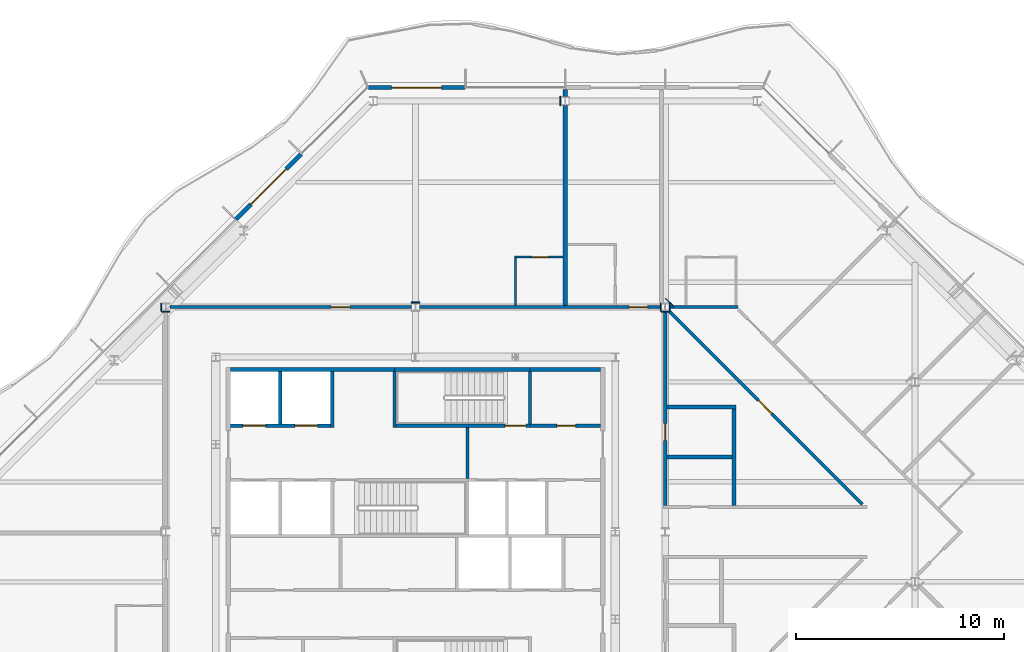
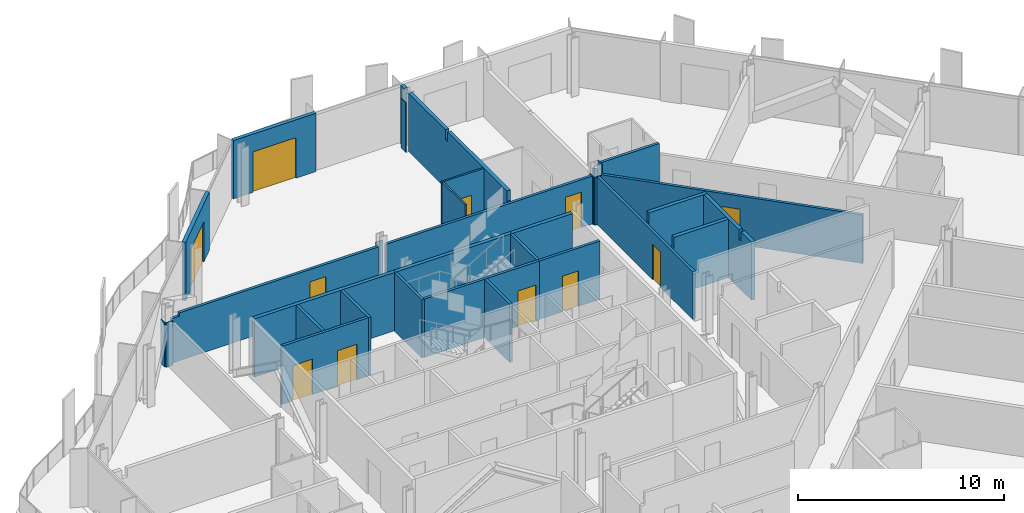
# One storey, part 11 of 17: 33 walls, 11 doors, 11 openings.
"""IFC4 building model written with IfcOpenShell, lengths in metres."""

from ifc_helpers import new_model, si_unit, direction, frame, frame_2d, origin, place, context, subcontext, project, spatial, polyline, rectangle, outline, extrude, material, layer, layer_set, type_object, element, fill, save


model = new_model("IFC4")

# Units and contexts
model_context = context("Model", 3, precision=1e-05, world=origin(), true_north=direction((0.0, 1.0)))
body_context = subcontext(model_context, "Body", "Model", "MODEL_VIEW")
ifc_project = project(units=[si_unit("LENGTHUNIT", "METRE"), si_unit("AREAUNIT", "SQUARE_METRE"), si_unit("VOLUMEUNIT", "CUBIC_METRE"), si_unit("PLANEANGLEUNIT", "RADIAN"), si_unit("MASSUNIT", "GRAM", prefix="KILO")], contexts=[model_context])

# Site, building, storey
site_placement = place(None, origin())
site = spatial("IfcSite", under=ifc_project, at=site_placement, CompositionType="ELEMENT")
building_placement = place(site_placement, origin())
building = spatial("IfcBuilding", under=site, at=building_placement, Name="Cairn Pilgrim Tower", CompositionType="ELEMENT")
storey_placement = place(building_placement, frame((0.0, 0.0, 225.0)))
storey = spatial("IfcBuildingStorey", under=building, at=storey_placement, Name="L57", CompositionType="ELEMENT", Elevation=225.0)

# Wall, opening, door
ifc_material_1 = material(Name="Bronze anodised aluminium insulated sandwich panel with mineral wool fill", Category="aluminium")
ifc_layer_1 = layer(ifc_material_1, 0.199951171875)
ifc_layer_set_1 = layer_set([ifc_layer_1], Name="BRONZE INFILL FRAME WALL 200")
wall_type_1 = type_object("IfcWallType", Name="BRONZE INFILL FRAME WALL 200", PredefinedType="NOTDEFINED", material=ifc_layer_set_1)
wall_1_placement = place(storey_placement, frame((9.570068359375, 23.75, 0.0), z_axis=(0.0, 0.0, 1.0), x_axis=(-1.0, 0.0, 0.0)))
wall_1 = element("IfcWall", 1, at=wall_1_placement, inside=storey, type_object=wall_type_1, Name="Bronze infill frame wall IW-N4", PredefinedType="NOTDEFINED", context=body_context, shape_type="SweptSolid", body=[
    extrude(rectangle(XDim=4.62646484375, YDim=0.199951171875, at=frame_2d((2.313232421875, 0.0))), origin(), (0.0, 0.0, 1.0), 3.449951171875),
])
opening_1_placement = place(wall_1_placement, frame((1.117919921875, 0.0, 0.0)))
opening_1 = element("IfcOpeningElement", 2, at=opening_1_placement, cuts=wall_1, Name="Opening 5710B", PredefinedType="OPENING", context=body_context, shape_type="SweptSolid", body=[
    extrude(rectangle(XDim=2.39990234375, YDim=2.39990234375, at=frame_2d((1.199951171875, 1.199951171875))), frame((0.0, 0.10986328125, 0.0), z_axis=(0.0, -1.0, 0.0), x_axis=(1.0, 0.0, 0.0)), (0.0, 0.0, 1.0), 0.219970703125),
])
ifc_material_2 = material(Name="Bronze anodised aluminium frame with tinted low-E glass", Category="aluminium")
door_type_1 = type_object("IfcDoorType", Name="BALCONY SLIDING DOOR 2400x2400", OperationType="DOUBLE_DOOR_SLIDING", PredefinedType="DOOR", material=ifc_material_2)
door_1_placement = place(opening_1_placement, origin())
door_1 = element("IfcDoor", 3, at=door_1_placement, inside=storey, type_object=door_type_1, Name="Balcony sliding door 5710B", OperationType="SINGLE_SWING_LEFT", OverallHeight=2.39990234375, OverallWidth=2.39990234375, PredefinedType="DOOR", context=body_context, shape_type="SweptSolid", body=[
    extrude(rectangle(XDim=2.39990234375, YDim=2.39990234375, at=frame_2d((1.199951171875, 1.199951171875))), frame((0.0, 0.02490234375, 0.0), z_axis=(0.0, -1.0, 0.0), x_axis=(1.0, 0.0, 0.0)), (0.0, 0.0, 1.0), 0.050048828125),
])
fill(opening_1, door_1)

wall_2_placement = place(storey_placement, frame((1.706787109375, 20.55322265625, 0.0), z_axis=(0.0, 0.0, 1.0), x_axis=(-0.707106781187, -0.707106781187, 0.0)))
wall_2 = element("IfcWall", 4, at=wall_2_placement, inside=storey, type_object=wall_type_1, Name="Bronze infill frame wall IW-NW2", PredefinedType="NOTDEFINED", context=body_context, shape_type="SweptSolid", body=[
    extrude(rectangle(XDim=4.43115234375, YDim=0.199951171875, at=frame_2d((2.215576171875, 0.0))), origin(), (0.0, 0.0, 1.0), 3.449951171875),
])
opening_2_placement = place(wall_2_placement, frame((1.015380859375, 0.0, 0.0)))
opening_2 = element("IfcOpeningElement", 5, at=opening_2_placement, cuts=wall_2, Name="Opening 5710B2", PredefinedType="OPENING", context=body_context, shape_type="SweptSolid", body=[
    extrude(rectangle(XDim=2.39990234375, YDim=2.39990234375, at=frame_2d((1.199951171875, 1.199951171875))), frame((0.0, 0.10986328125, 0.0), z_axis=(0.0, -1.0, 0.0), x_axis=(1.0, 0.0, 0.0)), (0.0, 0.0, 1.0), 0.219970703125),
])
door_2_placement = place(opening_2_placement, origin())
door_2 = element("IfcDoor", 6, at=door_2_placement, inside=storey, type_object=door_type_1, Name="Balcony sliding door 5710B2", OperationType="SINGLE_SWING_LEFT", OverallHeight=2.39990234375, OverallWidth=2.39990234375, PredefinedType="DOOR", context=body_context, shape_type="SweptSolid", body=[
    extrude(rectangle(XDim=2.39990234375, YDim=2.39990234375, at=frame_2d((1.199951171875, 1.199951171875))), frame((0.0, 0.02490234375, 0.0), z_axis=(0.0, -1.0, 0.0), x_axis=(1.0, 0.0, 0.0)), (0.0, 0.0, 1.0), 0.050048828125),
])
fill(opening_2, door_2)

# Walls
ifc_material_3 = material(Name="Concrete C32/40", Category="concrete")
ifc_layer_2 = layer(ifc_material_3, 0.199951171875)
ifc_layer_set_2 = layer_set([ifc_layer_2], Name="CORE OUTER WALL 200 EI 120")
wall_type_2 = type_object("IfcWallType", Name="CORE OUTER WALL 200 EI 120", PredefinedType="SOLIDWALL", material=ifc_layer_set_2)
wall_3_placement = place(storey_placement, frame((-1.699951171875, 10.199951171875, 0.0), z_axis=(0.0, 0.0, 1.0), x_axis=(1.0, 0.0, 0.0)))
element("IfcWall", 7, at=wall_3_placement, inside=storey, type_object=wall_type_2, Name="CW:L57:H12-1", PredefinedType="SOLIDWALL", context=body_context, shape_type="SweptSolid", body=[
    extrude(rectangle(XDim=7.89990234375, YDim=0.199951171875, at=frame_2d((3.949951171875, 0.0))), origin(), (0.0, 0.0, 1.0), 3.449951171875),
])
wall_4_placement = place(storey_placement, frame((12.699951171875, 10.199951171875, 0.0), z_axis=(0.0, 0.0, 1.0), x_axis=(1.0, 0.0, 0.0)))
element("IfcWall", 8, at=wall_4_placement, inside=storey, type_object=wall_type_2, Name="CW:L57:H12-3", PredefinedType="SOLIDWALL", context=body_context, shape_type="SweptSolid", body=[
    extrude(rectangle(XDim=3.400146484375, YDim=0.199951171875, at=frame_2d((1.7001953125, 0.0))), origin(), (0.0, 0.0, 1.0), 3.449951171875),
])

# Wall, openings, doors
ifc_layer_3 = layer(ifc_material_3, 0.14990234375)
ifc_layer_set_3 = layer_set([ifc_layer_3], Name="CORE SHAFT WALL 150 EI 120")
wall_type_3 = type_object("IfcWallType", Name="CORE SHAFT WALL 150 EI 120", PredefinedType="SOLIDWALL", material=ifc_layer_set_3)
wall_5_placement = place(storey_placement, frame((-1.699951171875, 7.5, 0.0), z_axis=(0.0, 0.0, 1.0), x_axis=(1.0, 0.0, 0.0)))
wall_5 = element("IfcWall", 9, at=wall_5_placement, inside=storey, type_object=wall_type_3, Name="CW:L57:H10", PredefinedType="SOLIDWALL", context=body_context, shape_type="SweptSolid", body=[
    extrude(rectangle(XDim=4.824951171875, YDim=0.14990234375, at=frame_2d((2.41259765625, 0.0))), origin(), (0.0, 0.0, 1.0), 3.449951171875),
])
opening_3_placement = place(wall_5_placement, frame((0.60009765625, 0.0, 0.0)))
opening_3 = element("IfcOpeningElement", 10, at=opening_3_placement, cuts=wall_5, Name="Opening LD-HR3", PredefinedType="OPENING", context=body_context, shape_type="SweptSolid", body=[
    extrude(rectangle(XDim=1.10009765625, YDim=2.10009765625, at=frame_2d((0.550048828125, 1.050048828125))), frame((0.0, 0.0849609375, 0.0), z_axis=(0.0, -1.0, 0.0), x_axis=(1.0, 0.0, 0.0)), (0.0, 0.0, 1.0), 0.169921875),
])
opening_4_placement = place(wall_5_placement, frame((3.10009765625, 0.0, 0.0)))
opening_4 = element("IfcOpeningElement", 11, at=opening_4_placement, cuts=wall_5, Name="Opening LD-HR4", PredefinedType="OPENING", context=body_context, shape_type="SweptSolid", body=[
    extrude(rectangle(XDim=1.10009765625, YDim=2.10009765625, at=frame_2d((0.550048828125, 1.050048828125))), frame((0.0, 0.0849609375, 0.0), z_axis=(0.0, -1.0, 0.0), x_axis=(1.0, 0.0, 0.0)), (0.0, 0.0, 1.0), 0.169921875),
])
ifc_material_4 = material(Name="Stainless steel", Category="steel")
door_type_2 = type_object("IfcDoorType", Name="LIFT LANDING DOOR 1100x2100", OperationType="DOUBLE_DOOR_SLIDING", PredefinedType="DOOR", material=ifc_material_4)
door_3_placement = place(opening_3_placement, origin())
door_3 = element("IfcDoor", 12, at=door_3_placement, inside=storey, type_object=door_type_2, Name="LANDING DOOR HR3", OperationType="DOUBLE_DOOR_SLIDING", OverallHeight=2.10009765625, OverallWidth=1.10009765625, PredefinedType="DOOR", context=body_context, shape_type="SweptSolid", body=[
    extrude(rectangle(XDim=1.10009765625, YDim=2.10009765625, at=frame_2d((0.550048828125, 1.050048828125))), frame((0.0, 0.02490234375, 0.0), z_axis=(0.0, -1.0, 0.0), x_axis=(1.0, 0.0, 0.0)), (0.0, 0.0, 1.0), 0.050048828125),
])
fill(opening_3, door_3)
door_4_placement = place(opening_4_placement, origin())
door_4 = element("IfcDoor", 13, at=door_4_placement, inside=storey, type_object=door_type_2, Name="LANDING DOOR HR4", OperationType="DOUBLE_DOOR_SLIDING", OverallHeight=2.10009765625, OverallWidth=1.10009765625, PredefinedType="DOOR", context=body_context, shape_type="SweptSolid", body=[
    extrude(rectangle(XDim=1.10009765625, YDim=2.10009765625, at=frame_2d((0.550048828125, 1.050048828125))), frame((0.0, 0.02490234375, 0.0), z_axis=(0.0, -1.0, 0.0), x_axis=(1.0, 0.0, 0.0)), (0.0, 0.0, 1.0), 0.050048828125),
])
fill(opening_4, door_4)

# Wall, opening, door
wall_6_placement = place(storey_placement, frame((12.699951171875, 7.5, 0.0), z_axis=(0.0, 0.0, 1.0), x_axis=(1.0, 0.0, 0.0)))
wall_6 = element("IfcWall", 14, at=wall_6_placement, inside=storey, type_object=wall_type_3, Name="CW:L57:H11-2", PredefinedType="SOLIDWALL", context=body_context, shape_type="SweptSolid", body=[
    extrude(rectangle(XDim=3.400146484375, YDim=0.14990234375, at=frame_2d((1.7001953125, 0.0))), origin(), (0.0, 0.0, 1.0), 3.449951171875),
])
opening_5_placement = place(wall_6_placement, frame((1.300048828125, 0.0, 0.0)))
opening_5 = element("IfcOpeningElement", 15, at=opening_5_placement, cuts=wall_6, Name="Opening RD-R4E", PredefinedType="OPENING", context=body_context, shape_type="SweptSolid", body=[
    extrude(rectangle(XDim=0.89990234375, YDim=2.10009765625, at=frame_2d((0.449951171875, 1.050048828125))), frame((0.0, 0.0849609375, 0.0), z_axis=(0.0, -1.0, 0.0), x_axis=(1.0, 0.0, 0.0)), (0.0, 0.0, 1.0), 0.169921875),
])
ifc_material_5 = material(Name="Painted steel", Category="steel")
door_type_3 = type_object("IfcDoorType", Name="SERVICE ROOM DOOR 900x2100", OperationType="SINGLE_SWING_LEFT", PredefinedType="DOOR", material=ifc_material_5)
door_5_placement = place(opening_5_placement, origin())
door_5 = element("IfcDoor", 16, at=door_5_placement, inside=storey, type_object=door_type_3, Name="RD-R4E", OperationType="SINGLE_SWING_RIGHT", OverallHeight=2.10009765625, OverallWidth=0.89990234375, PredefinedType="DOOR", context=body_context, shape_type="SweptSolid", body=[
    extrude(rectangle(XDim=0.89990234375, YDim=2.10009765625, at=frame_2d((0.449951171875, 1.050048828125))), frame((0.0, 0.02490234375, 0.0), z_axis=(0.0, -1.0, 0.0), x_axis=(1.0, 0.0, 0.0)), (0.0, 0.0, 1.0), 0.050048828125),
])
fill(opening_5, door_5)

# Walls
wall_7_placement = place(storey_placement, frame((0.699951171875, 7.574951171875, 0.0), z_axis=(0.0, 0.0, 1.0), x_axis=(0.0, 1.0, 0.0)))
element("IfcWall", 17, at=wall_7_placement, inside=storey, type_object=wall_type_3, Name="CW:L57:V15", PredefinedType="SOLIDWALL", context=body_context, shape_type="SweptSolid", body=[
    extrude(rectangle(XDim=2.525146484375, YDim=0.14990234375, at=frame_2d((1.2626953125, 0.0))), origin(), (0.0, 0.0, 1.0), 3.449951171875),
])
wall_8_placement = place(storey_placement, frame((3.199951171875, 7.425048828125, 0.0), z_axis=(0.0, 0.0, 1.0), x_axis=(0.0, 1.0, 0.0)))
element("IfcWall", 18, at=wall_8_placement, inside=storey, type_object=wall_type_3, Name="CW:L57:V18", PredefinedType="SOLIDWALL", context=body_context, shape_type="SweptSolid", body=[
    extrude(rectangle(XDim=2.675048828125, YDim=0.14990234375, at=frame_2d((1.33740234375, 0.0))), origin(), (0.0, 0.0, 1.0), 3.449951171875),
])
wall_9_placement = place(storey_placement, frame((9.699951171875, 4.97509765625, 0.0), z_axis=(0.0, 0.0, 1.0), x_axis=(0.0, 1.0, 0.0)))
element("IfcWall", 19, at=wall_9_placement, inside=storey, type_object=wall_type_3, Name="CW:L57:V24", PredefinedType="SOLIDWALL", context=body_context, shape_type="SweptSolid", body=[
    extrude(rectangle(XDim=2.449951171875, YDim=0.14990234375, at=frame_2d((1.22509765625, 0.0))), origin(), (0.0, 0.0, 1.0), 3.449951171875),
])
ifc_material_6 = material(Name="Gypsum partition")
ifc_layer_4 = layer(ifc_material_6, 0.10009765625)
ifc_layer_set_4 = layer_set([ifc_layer_4], Name="PARTITION 100 DRYWALL")
wall_type_4 = type_object("IfcWallType", Name="PARTITION 100 DRYWALL", PredefinedType="PARTITIONING", material=ifc_layer_set_4)
wall_10_placement = place(storey_placement, frame((12.0, 13.27490234375, 0.0), z_axis=(0.0, 0.0, 1.0), x_axis=(0.0, 1.0, 0.0)))
element("IfcWall", 20, at=wall_10_placement, inside=storey, type_object=wall_type_4, Name="PARTITION W066", PredefinedType="PARTITIONING", context=body_context, shape_type="SweptSolid", body=[
    extrude(outline(polyline([(0.0, 0.0), (2.275146484375, 0.0), (2.27490234375, 3.449951171875), (0.074951171875, 3.449951171875), (0.072998046875, 2.830078125), (0.0, 2.830078125), (0.0, 0.0)])), frame((0.0, 0.050048828125, 0.0), z_axis=(0.0, -1.0, 0.0), x_axis=(1.0, 0.0, 0.0)), (0.0, 0.0, 1.0), 0.10009765625),
])

# Wall, opening, door
wall_11_placement = place(storey_placement, frame((11.949951171875, 15.60009765625, 0.0), z_axis=(0.0, 0.0, 1.0), x_axis=(1.0, 0.0, 0.0)))
wall_11 = element("IfcWall", 21, at=wall_11_placement, inside=storey, type_object=wall_type_4, Name="PARTITION W072", PredefinedType="PARTITIONING", context=body_context, shape_type="SweptSolid", body=[
    extrude(rectangle(XDim=2.35009765625, YDim=0.10009765625, at=frame_2d((1.175048828125, 0.0))), origin(), (0.0, 0.0, 1.0), 3.449951171875),
])
opening_6_placement = place(wall_11_placement, frame((0.85009765625, 0.0, 0.0)))
opening_6 = element("IfcOpeningElement", 22, at=opening_6_placement, cuts=wall_11, Name="Opening 5710A", PredefinedType="OPENING", context=body_context, shape_type="SweptSolid", body=[
    extrude(rectangle(XDim=0.800048828125, YDim=2.10009765625, at=frame_2d((0.39990234375, 1.050048828125))), frame((0.0, 0.06005859375, 0.0), z_axis=(0.0, -1.0, 0.0), x_axis=(1.0, 0.0, 0.0)), (0.0, 0.0, 1.0), 0.1201171875),
])
ifc_material_7 = material(Name="Timber door leaf", Category="wood")
door_type_4 = type_object("IfcDoorType", Name="WC DOOR 800x2100", OperationType="NOTDEFINED", PredefinedType="DOOR", material=ifc_material_7)
door_6_placement = place(opening_6_placement, origin())
door_6 = element("IfcDoor", 23, at=door_6_placement, inside=storey, type_object=door_type_4, Name="DOOR 5710A", OperationType="SINGLE_SWING_RIGHT", OverallHeight=2.10009765625, OverallWidth=0.800048828125, PredefinedType="DOOR", context=body_context, shape_type="SweptSolid", body=[
    extrude(rectangle(XDim=0.800048828125, YDim=2.10009765625, at=frame_2d((0.39990234375, 1.050048828125))), frame((0.0, 0.02490234375, 0.0), z_axis=(0.0, -1.0, 0.0), x_axis=(1.0, 0.0, 0.0)), (0.0, 0.0, 1.0), 0.050048828125),
])
fill(opening_6, door_6)

ifc_layer_5 = layer(ifc_material_6, 0.14990234375)
ifc_layer_set_5 = layer_set([ifc_layer_5], Name="PARTITION 150 DRYWALL EI 60")
wall_type_5 = type_object("IfcWallType", Name="PARTITION 150 DRYWALL EI 60", PredefinedType="PARTITIONING", material=ifc_layer_set_5)
wall_12_placement = place(storey_placement, frame((19.199951171875, 3.675048828125, 0.0), z_axis=(0.0, 0.0, 1.0), x_axis=(0.0, 1.0, 0.0)))
wall_12 = element("IfcWall", 24, at=wall_12_placement, inside=storey, type_object=wall_type_5, Name="PARTITION W052", PredefinedType="PARTITIONING", context=body_context, shape_type="SweptSolid", body=[
    extrude(rectangle(XDim=9.328369140625, YDim=0.14990234375, at=frame_2d((4.6640625, 0.0))), origin(), (0.0, 0.0, 1.0), 2.830078125),
])
opening_7_placement = place(wall_12_placement, frame((3.125, 0.0, 0.0)))
opening_7 = element("IfcOpeningElement", 25, at=opening_7_placement, cuts=wall_12, Name="Opening 5717", PredefinedType="OPENING", context=body_context, shape_type="SweptSolid", body=[
    extrude(rectangle(XDim=0.800048828125, YDim=2.10009765625, at=frame_2d((0.39990234375, 1.050048828125))), frame((0.0, 0.0849609375, 0.0), z_axis=(0.0, -1.0, 0.0), x_axis=(1.0, 0.0, 0.0)), (0.0, 0.0, 1.0), 0.169921875),
])
door_type_5 = type_object("IfcDoorType", Name="WC DOOR 800x2100 FD30S", OperationType="NOTDEFINED", PredefinedType="DOOR", material=ifc_material_7)
door_7_placement = place(opening_7_placement, frame((0.800048828125, 0.0, 0.0), z_axis=(0.0, 0.0, 1.0), x_axis=(-1.0, 0.0, 0.0)))
door_7 = element("IfcDoor", 26, at=door_7_placement, inside=storey, type_object=door_type_5, Name="DOOR 5717", OperationType="SINGLE_SWING_RIGHT", OverallHeight=2.10009765625, OverallWidth=0.800048828125, PredefinedType="DOOR", context=body_context, shape_type="SweptSolid", body=[
    extrude(rectangle(XDim=0.800048828125, YDim=2.10009765625, at=frame_2d((0.39990234375, 1.050048828125))), frame((0.0, 0.02490234375, 0.0), z_axis=(0.0, -1.0, 0.0), x_axis=(1.0, 0.0, 0.0)), (0.0, 0.0, 1.0), 0.050048828125),
])
fill(opening_7, door_7)

wall_13_placement = place(storey_placement, frame((28.672119140625, 3.72802734375, 0.0), z_axis=(0.0, 0.0, 1.0), x_axis=(-0.707116088468, 0.707097473782, 0.0)))
wall_13 = element("IfcWall", 27, at=wall_13_placement, inside=storey, type_object=wall_type_5, Name="PARTITION W054", PredefinedType="PARTITIONING", context=body_context, shape_type="SweptSolid", body=[
    extrude(rectangle(XDim=13.115478515625, YDim=0.14990234375, at=frame_2d((6.5576171875, 0.0))), origin(), (0.0, 0.0, 1.0), 2.8798828125),
])
opening_8_placement = place(wall_13_placement, frame((6.156982421875, 0.0, 0.0)))
opening_8 = element("IfcOpeningElement", 28, at=opening_8_placement, cuts=wall_13, Name="Opening 5721", PredefinedType="OPENING", context=body_context, shape_type="SweptSolid", body=[
    extrude(rectangle(XDim=0.89990234375, YDim=2.10009765625, at=frame_2d((0.449951171875, 1.050048828125))), frame((0.0, 0.0849609375, 0.0), z_axis=(0.0, -1.0, 0.0), x_axis=(1.0, 0.0, 0.0)), (0.0, 0.0, 1.0), 0.169921875),
])
door_type_6 = type_object("IfcDoorType", Name="SERVICE DOOR 900x2100 FD30S", OperationType="NOTDEFINED", PredefinedType="DOOR", material=ifc_material_7)
door_8_placement = place(opening_8_placement, origin())
door_8 = element("IfcDoor", 29, at=door_8_placement, inside=storey, type_object=door_type_6, Name="DOOR 5721", OperationType="SINGLE_SWING_LEFT", OverallHeight=2.10009765625, OverallWidth=0.89990234375, PredefinedType="DOOR", context=body_context, shape_type="SweptSolid", body=[
    extrude(rectangle(XDim=0.89990234375, YDim=2.10009765625, at=frame_2d((0.449951171875, 1.050048828125))), frame((0.0, 0.02490234375, 0.0), z_axis=(0.0, -1.0, 0.0), x_axis=(1.0, 0.0, 0.0)), (0.0, 0.0, 1.0), 0.050048828125),
])
fill(opening_8, door_8)

wall_14_placement = place(storey_placement, frame((-4.6005859375, 13.199951171875, 0.0), z_axis=(0.0, 0.0, 1.0), x_axis=(1.0, 0.0, 0.0)))
wall_14 = element("IfcWall", 30, at=wall_14_placement, inside=storey, type_object=wall_type_5, Name="PARTITION W063", PredefinedType="PARTITIONING", context=body_context, shape_type="SweptSolid", body=[
    extrude(outline(polyline([(0.0, 0.0), (11.60107421875, 0.0), (11.60107421875, 2.830078125), (0.443359375, 2.830078125), (0.44140625, 2.6298828125), (0.0, 2.6298828125), (0.0, 0.0)])), frame((0.0, 0.074951171875, 0.0), z_axis=(0.0, -1.0, 0.0), x_axis=(1.0, 0.0, 0.0)), (0.0, 0.0, 1.0), 0.14990234375),
])
opening_9_placement = place(wall_14_placement, frame((7.75048828125, 0.0, 0.0)))
opening_9 = element("IfcOpeningElement", 31, at=opening_9_placement, cuts=wall_14, Name="Opening 5710", PredefinedType="OPENING", context=body_context, shape_type="SweptSolid", body=[
    extrude(rectangle(XDim=0.89990234375, YDim=2.10009765625, at=frame_2d((0.449951171875, 1.050048828125))), frame((0.0, 0.0849609375, 0.0), z_axis=(0.0, -1.0, 0.0), x_axis=(1.0, 0.0, 0.0)), (0.0, 0.0, 1.0), 0.169921875),
])
door_type_7 = type_object("IfcDoorType", Name="ROOM DOOR 900x2100 FD30S", OperationType="NOTDEFINED", PredefinedType="DOOR", material=ifc_material_7)
door_9_placement = place(opening_9_placement, origin())
door_9 = element("IfcDoor", 32, at=door_9_placement, inside=storey, type_object=door_type_7, Name="DOOR 5710", OperationType="SINGLE_SWING_RIGHT", OverallHeight=2.10009765625, OverallWidth=0.89990234375, PredefinedType="DOOR", context=body_context, shape_type="SweptSolid", body=[
    extrude(rectangle(XDim=0.89990234375, YDim=2.10009765625, at=frame_2d((0.449951171875, 1.050048828125))), frame((0.0, 0.02490234375, 0.0), z_axis=(0.0, -1.0, 0.0), x_axis=(1.0, 0.0, 0.0)), (0.0, 0.0, 1.0), 0.050048828125),
])
fill(opening_9, door_9)

wall_15_placement = place(storey_placement, frame((7.3994140625, 13.199951171875, 0.0), z_axis=(0.0, 0.0, 1.0), x_axis=(1.0, 0.0, 0.0)))
wall_15 = element("IfcWall", 33, at=wall_15_placement, inside=storey, type_object=wall_type_5, Name="PARTITION W064", PredefinedType="PARTITIONING", context=body_context, shape_type="SweptSolid", body=[
    extrude(rectangle(XDim=11.60107421875, YDim=0.14990234375, at=frame_2d((5.800537109375, 0.0))), origin(), (0.0, 0.0, 1.0), 2.830078125),
])
opening_10_placement = place(wall_15_placement, frame((10.0576171875, 0.0, 0.0)))
opening_10 = element("IfcOpeningElement", 34, at=opening_10_placement, cuts=wall_15, Name="Opening 5709", PredefinedType="OPENING", context=body_context, shape_type="SweptSolid", body=[
    extrude(rectangle(XDim=0.89990234375, YDim=2.10009765625, at=frame_2d((0.449951171875, 1.050048828125))), frame((0.0, 0.0849609375, 0.0), z_axis=(0.0, -1.0, 0.0), x_axis=(1.0, 0.0, 0.0)), (0.0, 0.0, 1.0), 0.169921875),
])
door_10_placement = place(opening_10_placement, origin())
door_10 = element("IfcDoor", 35, at=door_10_placement, inside=storey, type_object=door_type_7, Name="DOOR 5709", OperationType="SINGLE_SWING_LEFT", OverallHeight=2.10009765625, OverallWidth=0.89990234375, PredefinedType="DOOR", context=body_context, shape_type="SweptSolid", body=[
    extrude(rectangle(XDim=0.89990234375, YDim=2.10009765625, at=frame_2d((0.449951171875, 1.050048828125))), frame((0.0, 0.02490234375, 0.0), z_axis=(0.0, -1.0, 0.0), x_axis=(1.0, 0.0, 0.0)), (0.0, 0.0, 1.0), 0.050048828125),
])
fill(opening_10, door_10)

# Walls
wall_16_placement = place(storey_placement, frame((19.3994140625, 13.199951171875, 0.0), z_axis=(0.0, 0.0, 1.0), x_axis=(1.0, 0.0, 0.0)))
element("IfcWall", 36, at=wall_16_placement, inside=storey, type_object=wall_type_5, Name="PARTITION W065", PredefinedType="PARTITIONING", context=body_context, shape_type="SweptSolid", body=[
    extrude(rectangle(XDim=3.30078125, YDim=0.14990234375, at=frame_2d((1.650390625, 0.0))), origin(), (0.0, 0.0, 1.0), 3.449951171875),
])
ifc_layer_6 = layer(ifc_material_6, 0.050048828125)
ifc_layer_set_6 = layer_set([ifc_layer_6], Name="PARTITION 50 DRYWALL EI 60")
wall_type_6 = type_object("IfcWallType", Name="PARTITION 50 DRYWALL EI 60", PredefinedType="PARTITIONING", material=ifc_layer_set_6)
wall_17_placement = place(storey_placement, frame((-5.0244140625, 13.00341796875, 0.0), z_axis=(0.0, 0.0, 1.0), x_axis=(0.0, 1.0, 0.0)))
element("IfcWall", 37, at=wall_17_placement, inside=storey, type_object=wall_type_6, Name="COLUMN CASING WC10", PredefinedType="PARTITIONING", context=body_context, shape_type="SweptSolid", body=[
    extrude(rectangle(XDim=0.39306640625, YDim=0.050048828125, at=frame_2d((0.196533203125, 0.0))), origin(), (0.0, 0.0, 1.0), 2.6298828125),
])
wall_18_placement = place(storey_placement, frame((18.9755859375, 13.00341796875, 0.0), z_axis=(0.0, 0.0, 1.0), x_axis=(0.0, 1.0, 0.0)))
element("IfcWall", 38, at=wall_18_placement, inside=storey, type_object=wall_type_6, Name="COLUMN CASING WC17", PredefinedType="PARTITIONING", context=body_context, shape_type="SweptSolid", body=[
    extrude(rectangle(XDim=0.39306640625, YDim=0.050048828125, at=frame_2d((0.196533203125, 0.0))), origin(), (0.0, 0.0, 1.0), 2.830078125),
])
wall_19_placement = place(storey_placement, frame((19.61376953125, 13.2177734375, 0.0), z_axis=(0.0, 0.0, 1.0), x_axis=(-0.707106781187, 0.707106781187, 0.0)))
element("IfcWall", 39, at=wall_19_placement, inside=storey, type_object=wall_type_6, Name="COLUMN CASING WC18", PredefinedType="PARTITIONING", context=body_context, shape_type="SweptSolid", body=[
    extrude(rectangle(XDim=0.56005859375, YDim=0.050048828125, at=frame_2d((0.280029296875, 0.0))), origin(), (0.0, 0.0, 1.0), 2.929931640625),
])
wall_20_placement = place(storey_placement, frame((-4.99951171875, 12.978515625, 0.0), z_axis=(0.0, 0.0, 1.0), x_axis=(1.0, 0.0, 0.0)))
element("IfcWall", 40, at=wall_20_placement, inside=storey, type_object=wall_type_6, Name="COLUMN CASING WC22", PredefinedType="PARTITIONING", context=body_context, shape_type="SweptSolid", body=[
    extrude(rectangle(XDim=0.39892578125, YDim=0.050048828125, at=frame_2d((0.199462890625, 0.0))), origin(), (0.0, 0.0, 1.0), 2.6298828125),
])
wall_21_placement = place(storey_placement, frame((7.00048828125, 13.42138671875, 0.0), z_axis=(0.0, 0.0, 1.0), x_axis=(1.0, 0.0, 0.0)))
element("IfcWall", 41, at=wall_21_placement, inside=storey, type_object=wall_type_6, Name="COLUMN CASING WC23", PredefinedType="PARTITIONING", context=body_context, shape_type="SweptSolid", body=[
    extrude(rectangle(XDim=0.39892578125, YDim=0.050048828125, at=frame_2d((0.199462890625, 0.0))), origin(), (0.0, 0.0, 1.0), 2.929931640625),
])
wall_22_placement = place(storey_placement, frame((19.00048828125, 12.978515625, 0.0), z_axis=(0.0, 0.0, 1.0), x_axis=(1.0, 0.0, 0.0)))
element("IfcWall", 42, at=wall_22_placement, inside=storey, type_object=wall_type_6, Name="COLUMN CASING WC24", PredefinedType="PARTITIONING", context=body_context, shape_type="SweptSolid", body=[
    extrude(rectangle(XDim=0.39892578125, YDim=0.050048828125, at=frame_2d((0.199462890625, 0.0))), origin(), (0.0, 0.0, 1.0), 2.830078125),
])
wall_23_placement = place(storey_placement, frame((14.1669921875, 22.876953125, 0.0), z_axis=(0.0, 0.0, 1.0), x_axis=(0.0, 1.0, 0.0)))
element("IfcWall", 43, at=wall_23_placement, inside=storey, type_object=wall_type_6, Name="COLUMN CASING WC25", PredefinedType="PARTITIONING", context=body_context, shape_type="SweptSolid", body=[
    extrude(rectangle(XDim=0.446044921875, YDim=0.050048828125, at=frame_2d((0.22314453125, 0.0))), origin(), (0.0, 0.0, 1.0), 2.929931640625),
])
wall_24_placement = place(storey_placement, frame((19.424560546875, 13.00341796875, 0.0), z_axis=(0.0, 0.0, 1.0), x_axis=(0.0, 1.0, 0.0)))
element("IfcWall", 44, at=wall_24_placement, inside=storey, type_object=wall_type_6, Name="COLUMN CASING WC26", PredefinedType="PARTITIONING", context=body_context, shape_type="SweptSolid", body=[
    extrude(rectangle(XDim=0.39306640625, YDim=0.050048828125, at=frame_2d((0.196533203125, 0.0))), origin(), (0.0, 0.0, 1.0), 3.449951171875),
])
ifc_layer_7 = layer(ifc_material_6, 0.199951171875)
ifc_layer_set_7 = layer_set([ifc_layer_7], Name="SHAFT WALL 200 GYPSUM EI 60")
wall_type_7 = type_object("IfcWallType", Name="SHAFT WALL 200 GYPSUM EI 60", PredefinedType="PARTITIONING", material=ifc_layer_set_7)
wall_25_placement = place(storey_placement, frame((22.5, 3.675048828125, 0.0), z_axis=(0.0, 0.0, 1.0), x_axis=(0.0, 1.0, 0.0)))
element("IfcWall", 45, at=wall_25_placement, inside=storey, type_object=wall_type_7, Name="PARTITION W053", PredefinedType="PARTITIONING", context=body_context, shape_type="SweptSolid", body=[
    extrude(outline(polyline([(0.0, 0.0), (4.625, 0.0), (4.625, 3.449951171875), (1.22998046875, 3.449951171875), (1.22802734375, 2.8798828125), (1.02001953125, 2.8798828125), (1.01806640625, 3.449951171875), (0.0, 3.449951171875), (0.0, 0.0)])), frame((0.0, 0.10009765625, 0.0), z_axis=(0.0, -1.0, 0.0), x_axis=(1.0, 0.0, 0.0)), (0.0, 0.0, 1.0), 0.199951171875),
])
wall_26_placement = place(storey_placement, frame((19.27490234375, 6.0, 0.0), z_axis=(0.0, 0.0, 1.0), x_axis=(1.0, 0.0, 0.0)))
element("IfcWall", 46, at=wall_26_placement, inside=storey, type_object=wall_type_7, Name="PARTITION W057", PredefinedType="PARTITIONING", context=body_context, shape_type="SweptSolid", body=[
    extrude(outline(polyline([(0.0, 0.0), (3.125, 0.0), (3.125, 3.449951171875), (0.074951171875, 3.449951171875), (0.072998046875, 2.830078125), (0.0, 2.830078125), (0.0, 0.0)])), frame((0.0, 0.10009765625, 0.0), z_axis=(0.0, -1.0, 0.0), x_axis=(1.0, 0.0, 0.0)), (0.0, 0.0, 1.0), 0.199951171875),
])
wall_27_placement = place(storey_placement, frame((19.27490234375, 8.39990234375, 0.0), z_axis=(0.0, 0.0, 1.0), x_axis=(1.0, 0.0, 0.0)))
element("IfcWall", 47, at=wall_27_placement, inside=storey, type_object=wall_type_7, Name="PARTITION W059", PredefinedType="PARTITIONING", context=body_context, shape_type="SweptSolid", body=[
    extrude(outline(polyline([(0.0, 0.0), (3.3251953125, 0.0), (3.324951171875, 3.449951171875), (0.074951171875, 3.449951171875), (0.072998046875, 2.830078125), (0.0, 2.830078125), (0.0, 0.0)])), frame((0.0, 0.10009765625, 0.0), z_axis=(0.0, -1.0, 0.0), x_axis=(1.0, 0.0, 0.0)), (0.0, 0.0, 1.0), 0.199951171875),
])
wall_28_placement = place(storey_placement, frame((14.39990234375, 13.27490234375, 0.0), z_axis=(0.0, 0.0, 1.0), x_axis=(0.0, 1.0, 0.0)))
element("IfcWall", 48, at=wall_28_placement, inside=storey, type_object=wall_type_7, Name="PARTITION W067", PredefinedType="PARTITIONING", context=body_context, shape_type="SweptSolid", body=[
    extrude(outline(polyline([(0.0, 0.0), (9.60205078125, 0.0), (9.60205078125, 3.449951171875), (6.030029296875, 3.449951171875), (6.028076171875, 2.8798828125), (5.820068359375, 2.8798828125), (5.818115234375, 3.449951171875), (0.074951171875, 3.449951171875), (0.072998046875, 2.830078125), (0.0, 2.830078125), (0.0, 0.0)])), frame((0.0, 0.10009765625, 0.0), z_axis=(0.0, -1.0, 0.0), x_axis=(1.0, 0.0, 0.0)), (0.0, 0.0, 1.0), 0.199951171875),
])
wall_29_placement = place(storey_placement, frame((14.39990234375, 23.322998046875, 0.0), z_axis=(0.0, 0.0, 1.0), x_axis=(0.0, 1.0, 0.0)))
element("IfcWall", 49, at=wall_29_placement, inside=storey, type_object=wall_type_7, Name="PARTITION W076", PredefinedType="PARTITIONING", context=body_context, shape_type="SweptSolid", body=[
    extrude(rectangle(XDim=0.326904296875, YDim=0.199951171875, at=frame_2d((0.16357421875, 0.0))), origin(), (0.0, 0.0, 1.0), 3.449951171875),
])

# Wall, opening, door
ifc_material_8 = material(Name="Concrete C35/45", Category="concrete")
ifc_layer_8 = layer(ifc_material_8, 0.14990234375)
ifc_layer_set_8 = layer_set([ifc_layer_8], Name="STAIR SHAFT WALL 150 EI 120")
wall_type_8 = type_object("IfcWallType", Name="STAIR SHAFT WALL 150 EI 120", PredefinedType="SOLIDWALL", material=ifc_layer_set_8)
wall_30_placement = place(storey_placement, frame((6.27490234375, 7.5, 0.0), z_axis=(0.0, 0.0, 1.0), x_axis=(1.0, 0.0, 0.0)))
wall_30 = element("IfcWall", 50, at=wall_30_placement, inside=storey, type_object=wall_type_8, Name="CW:L57:H11-1", PredefinedType="SOLIDWALL", context=body_context, shape_type="SweptSolid", body=[
    extrude(rectangle(XDim=6.425048828125, YDim=0.14990234375, at=frame_2d((3.21240234375, 0.0))), origin(), (0.0, 0.0, 1.0), 3.449951171875),
])
opening_11_placement = place(wall_30_placement, frame((5.22509765625, 0.0, 0.0)))
opening_11 = element("IfcOpeningElement", 51, at=opening_11_placement, cuts=wall_30, Name="Opening SD-C", PredefinedType="OPENING", context=body_context, shape_type="SweptSolid", body=[
    extrude(rectangle(XDim=1.0, YDim=2.10009765625, at=frame_2d((0.5, 1.050048828125))), frame((0.0, 0.0849609375, 0.0), z_axis=(0.0, -1.0, 0.0), x_axis=(1.0, 0.0, 0.0)), (0.0, 0.0, 1.0), 0.169921875),
])
door_type_8 = type_object("IfcDoorType", Name="STAIR DOOR FD60S 1000x2100", OperationType="SINGLE_SWING_LEFT", PredefinedType="DOOR", material=ifc_material_5)
door_11_placement = place(opening_11_placement, origin())
door_11 = element("IfcDoor", 52, at=door_11_placement, inside=storey, type_object=door_type_8, Name="SD-C", OperationType="SINGLE_SWING_LEFT", OverallHeight=2.10009765625, OverallWidth=1.0, PredefinedType="DOOR", context=body_context, shape_type="SweptSolid", body=[
    extrude(rectangle(XDim=1.0, YDim=2.10009765625, at=frame_2d((0.5, 1.050048828125))), frame((0.0, 0.02490234375, 0.0), z_axis=(0.0, -1.0, 0.0), x_axis=(1.0, 0.0, 0.0)), (0.0, 0.0, 1.0), 0.050048828125),
])
fill(opening_11, door_11)

# Walls
wall_31_placement = place(storey_placement, frame((6.199951171875, 7.425048828125, 0.0), z_axis=(0.0, 0.0, 1.0), x_axis=(0.0, 1.0, 0.0)))
element("IfcWall", 53, at=wall_31_placement, inside=storey, type_object=wall_type_8, Name="CW:L57:V21", PredefinedType="SOLIDWALL", context=body_context, shape_type="SweptSolid", body=[
    extrude(rectangle(XDim=2.675048828125, YDim=0.14990234375, at=frame_2d((1.33740234375, 0.0))), origin(), (0.0, 0.0, 1.0), 3.449951171875),
])
wall_32_placement = place(storey_placement, frame((12.699951171875, 7.574951171875, 0.0), z_axis=(0.0, 0.0, 1.0), x_axis=(0.0, 1.0, 0.0)))
element("IfcWall", 54, at=wall_32_placement, inside=storey, type_object=wall_type_8, Name="CW:L57:V28", PredefinedType="SOLIDWALL", context=body_context, shape_type="SweptSolid", body=[
    extrude(rectangle(XDim=2.525146484375, YDim=0.14990234375, at=frame_2d((1.2626953125, 0.0))), origin(), (0.0, 0.0, 1.0), 3.449951171875),
])
ifc_layer_9 = layer(ifc_material_8, 0.199951171875)
ifc_layer_set_9 = layer_set([ifc_layer_9], Name="STAIR SHAFT WALL 200 EI 120")
wall_type_9 = type_object("IfcWallType", Name="STAIR SHAFT WALL 200 EI 120", PredefinedType="SOLIDWALL", material=ifc_layer_set_9)
wall_33_placement = place(storey_placement, frame((6.199951171875, 10.199951171875, 0.0), z_axis=(0.0, 0.0, 1.0), x_axis=(1.0, 0.0, 0.0)))
element("IfcWall", 55, at=wall_33_placement, inside=storey, type_object=wall_type_9, Name="CW:L57:H12-2", PredefinedType="SOLIDWALL", context=body_context, shape_type="SweptSolid", body=[
    extrude(rectangle(XDim=6.5, YDim=0.199951171875, at=frame_2d((3.25, 0.0))), origin(), (0.0, 0.0, 1.0), 3.449951171875),
])

save(model, "model.ifc")
